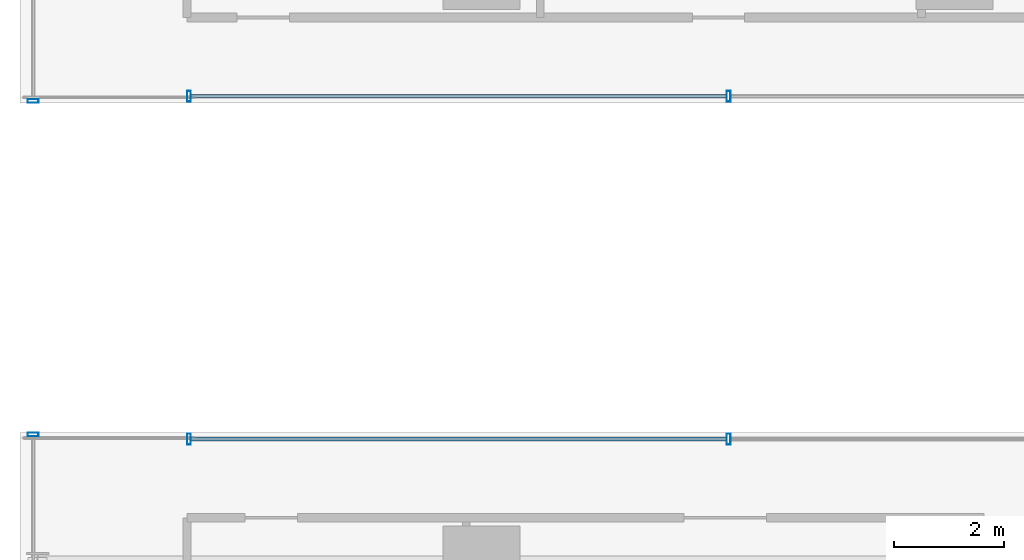
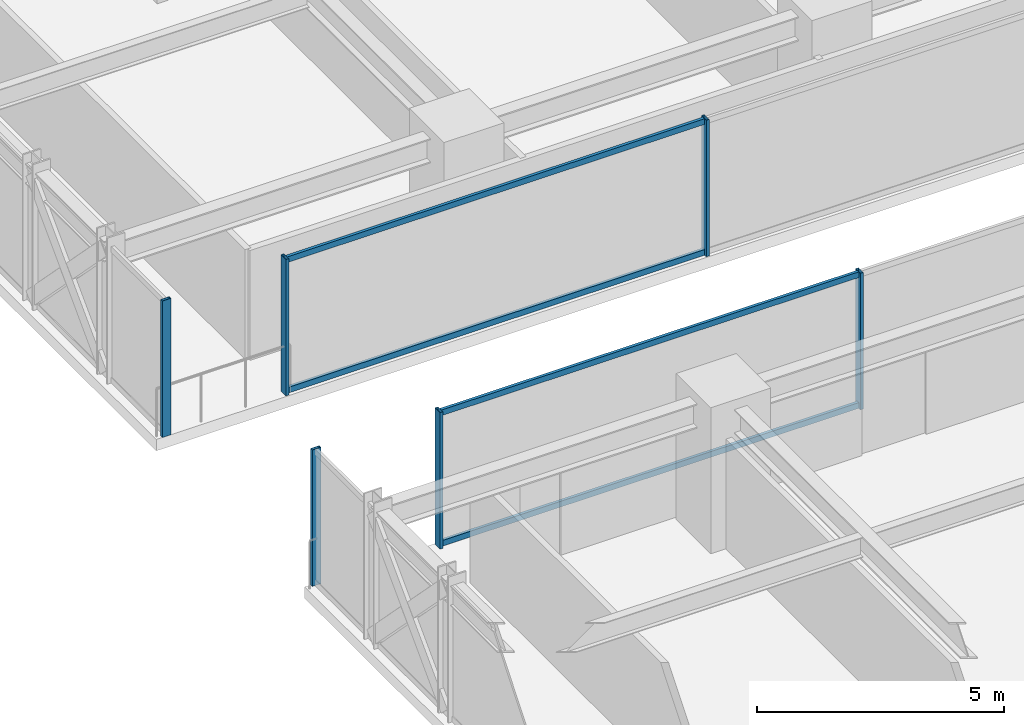
# One storey, part 8 of 35: 10 members, 4 elements without a shape of their own.
"""IFC4 building model written with IfcOpenShell, lengths in metres."""

from ifc_helpers import new_model, si_unit, direction, frame, origin, origin_2d, place, context, subcontext, project, spatial, hollow_rectangle, extrude, source, transform, mapped, material, material_profile, profile_set, type_object, element, aggregate, save


model = new_model("IFC4")

# Units and contexts
model_context = context("Model", 3, precision=1e-05, world=origin(), true_north=direction((0.0, 1.0)))
body_context = subcontext(model_context, "Body", "Model", "MODEL_VIEW")
ifc_project = project(units=[si_unit("LENGTHUNIT", "METRE"), si_unit("AREAUNIT", "SQUARE_METRE"), si_unit("VOLUMEUNIT", "CUBIC_METRE"), si_unit("PLANEANGLEUNIT", "RADIAN"), si_unit("MASSUNIT", "GRAM", prefix="KILO")], contexts=[model_context])

# Site, building, storey
site_placement = place(None, origin())
site = spatial("IfcSite", under=ifc_project, at=site_placement, CompositionType="ELEMENT")
building_placement = place(site_placement, origin())
building = spatial("IfcBuilding", under=site, at=building_placement, Name="Nahalor Promenade Grand Hotel", CompositionType="ELEMENT")
storey_placement = place(building_placement, frame((0.0, 0.0, 43.35009765625)))
storey = spatial("IfcBuildingStorey", under=building, at=storey_placement, Name="L09", CompositionType="ELEMENT", Elevation=43.35009765625)

# Curtain wall, member
ifc_material = material(Name="Anodised Bronze Aluminium EN AW-6063 T6", Category="aluminium")
curtain_wall_type = type_object("IfcCurtainWallType", Name="CW3 Elliptical-Void Collar Unitised Curtain Wall", PredefinedType="USERDEFINED", material=ifc_material)
curtain_wall_1_placement = place(storey_placement, origin())
curtain_wall_1 = element("IfcCurtainWall", 1, at=curtain_wall_1_placement, inside=storey, type_object=curtain_wall_type, Name="L09 Curtain Wall CW-L09-W-1", ObjectType="UNITISED_CURTAIN_WALL", PredefinedType="USERDEFINED")
ifc_material_profile_1 = material_profile(ifc_material, hollow_rectangle(XDim=0.07, YDim=0.2, WallThickness=0.005, at=origin_2d()), Name="CWM 70x200x5")
ifc_profile_set_1 = profile_set([ifc_material_profile_1], Name="Anodised Bronze Aluminium EN AW-6063 T6")
member_type_1 = type_object("IfcMemberType", Name="CWM3 Void Collar Mullion 70x200", PredefinedType="MULLION", material=ifc_profile_set_1)
shared_shape_1 = source(origin(), body_context, "Body", "SweptSolid", [
    extrude(hollow_rectangle(XDim=0.07, YDim=0.2, WallThickness=0.005, at=origin_2d()), origin(), (0.0, 0.0, 1.0), 3.369873046875),
])
member_1_placement = place(storey_placement, frame((-25.159912109375, -3.033935546875, 0.0), z_axis=(0.0, 0.0, 1.0), x_axis=(0.0, 1.0, 0.0)))
member_1 = element("IfcMember", 2, at=member_1_placement, type_object=member_type_1, Name="CW-L09-W-1 Mullion 2", PredefinedType="MULLION", context=body_context, shape_type="MappedRepresentation", body=[
    mapped(shared_shape_1, transform((0.0, 0.0, 0.0), scale=1.0)),
])
aggregate(curtain_wall_1, [member_1])

curtain_wall_2_placement = place(storey_placement, origin())
curtain_wall_2 = element("IfcCurtainWall", 3, at=curtain_wall_2_placement, inside=storey, type_object=curtain_wall_type, Name="L09 Curtain Wall CW-L09-W-2", ObjectType="UNITISED_CURTAIN_WALL", PredefinedType="USERDEFINED")
member_2_placement = place(storey_placement, frame((-25.159912109375, 3.033935546875, 0.0), z_axis=(0.0, 0.0, 1.0), x_axis=(0.0, 1.0, 0.0)))
member_2 = element("IfcMember", 4, at=member_2_placement, type_object=member_type_1, Name="CW-L09-W-2 Mullion 0", PredefinedType="MULLION", context=body_context, shape_type="MappedRepresentation", body=[
    mapped(shared_shape_1, transform((0.0, 0.0, 0.0), scale=1.0)),
])
aggregate(curtain_wall_2, [member_2])

# Curtain wall, members
curtain_wall_3_placement = place(storey_placement, origin())
curtain_wall_3 = element("IfcCurtainWall", 5, at=curtain_wall_3_placement, inside=storey, type_object=curtain_wall_type, Name="L09 Curtain Wall CW-L09-VOID-WS1", ObjectType="UNITISED_CURTAIN_WALL", PredefinedType="USERDEFINED")
member_3_placement = place(storey_placement, frame((-22.324951171875, -3.118896484375, 0.0), z_axis=(0.0, 0.0, 1.0), x_axis=(1.0, 0.0, 0.0)))
member_3 = element("IfcMember", 6, at=member_3_placement, type_object=member_type_1, Name="CW-L09-VOID-WS1 Mullion 0", PredefinedType="MULLION", context=body_context, shape_type="MappedRepresentation", body=[
    mapped(shared_shape_1, transform((0.0, 0.0, 0.0), scale=1.0)),
])
member_4_placement = place(storey_placement, frame((-12.506591796875, -3.118896484375, 0.0), z_axis=(0.0, 0.0, 1.0), x_axis=(1.0, 0.0, 0.0)))
member_4 = element("IfcMember", 7, at=member_4_placement, type_object=member_type_1, Name="CW-L09-VOID-WS1 Mullion 1", PredefinedType="MULLION", context=body_context, shape_type="MappedRepresentation", body=[
    mapped(shared_shape_1, transform((0.0, 0.0, 0.0), scale=1.0)),
])

curtain_wall_4_placement = place(storey_placement, origin())
curtain_wall_4 = element("IfcCurtainWall", 8, at=curtain_wall_4_placement, inside=storey, type_object=curtain_wall_type, Name="L09 Curtain Wall CW-L09-VOID-WN1", ObjectType="UNITISED_CURTAIN_WALL", PredefinedType="USERDEFINED")
member_5_placement = place(storey_placement, frame((-22.324951171875, 3.118896484375, 0.0), z_axis=(0.0, 0.0, 1.0), x_axis=(1.0, 0.0, 0.0)))
member_5 = element("IfcMember", 9, at=member_5_placement, type_object=member_type_1, Name="CW-L09-VOID-WN1 Mullion 0", PredefinedType="MULLION", context=body_context, shape_type="MappedRepresentation", body=[
    mapped(shared_shape_1, transform((0.0, 0.0, 0.0), scale=1.0)),
])
member_6_placement = place(storey_placement, frame((-12.506591796875, 3.118896484375, 0.0), z_axis=(0.0, 0.0, 1.0), x_axis=(1.0, 0.0, 0.0)))
member_6 = element("IfcMember", 10, at=member_6_placement, type_object=member_type_1, Name="CW-L09-VOID-WN1 Mullion 1", PredefinedType="MULLION", context=body_context, shape_type="MappedRepresentation", body=[
    mapped(shared_shape_1, transform((0.0, 0.0, 0.0), scale=1.0)),
])

# Member
ifc_material_profile_2 = material_profile(ifc_material, hollow_rectangle(XDim=0.07, YDim=0.14, WallThickness=0.004, at=origin_2d()), Name="CWT 70x140x4")
ifc_profile_set_2 = profile_set([ifc_material_profile_2], Name="Anodised Bronze Aluminium EN AW-6063 T6")
member_type_2 = type_object("IfcMemberType", Name="CWT3 Void Collar Transom 70x140", PredefinedType="USERDEFINED", material=ifc_profile_set_2)
shared_shape_2 = source(origin(), body_context, "Body", "SweptSolid", [
    extrude(hollow_rectangle(XDim=0.07, YDim=0.14, WallThickness=0.004, at=origin_2d()), origin(), (0.0, 0.0, 1.0), 9.748291015625),
])
member_7_placement = place(storey_placement, frame((-22.2900390625, -3.118896484375, 0.06982421875), z_axis=(1.0, 0.0, 0.0), x_axis=(0.0, 1.0, 0.0)))
member_7 = element("IfcMember", 11, at=member_7_placement, type_object=member_type_2, Name="CW-L09-VOID-WS1 Transom 0-0", ObjectType="TRANSOM", PredefinedType="USERDEFINED", context=body_context, shape_type="MappedRepresentation", body=[
    mapped(shared_shape_2, transform((0.0, 0.0, 0.0), scale=1.0)),
])

member_8_placement = place(storey_placement, frame((-22.2900390625, -3.118896484375, 3.2998046875), z_axis=(1.0, 0.0, 0.0), x_axis=(0.0, 1.0, 0.0)))
member_8 = element("IfcMember", 12, at=member_8_placement, type_object=member_type_2, Name="CW-L09-VOID-WS1 Transom 0-1", ObjectType="TRANSOM", PredefinedType="USERDEFINED", context=body_context, shape_type="MappedRepresentation", body=[
    mapped(shared_shape_2, transform((0.0, 0.0, 0.0), scale=1.0)),
])

aggregate(curtain_wall_3, [member_3, member_4, member_7, member_8])

member_9_placement = place(storey_placement, frame((-22.2900390625, 3.118896484375, 0.06982421875), z_axis=(1.0, 0.0, 0.0), x_axis=(0.0, 1.0, 0.0)))
member_9 = element("IfcMember", 13, at=member_9_placement, type_object=member_type_2, Name="CW-L09-VOID-WN1 Transom 0-0", ObjectType="TRANSOM", PredefinedType="USERDEFINED", context=body_context, shape_type="MappedRepresentation", body=[
    mapped(shared_shape_2, transform((0.0, 0.0, 0.0), scale=1.0)),
])

member_10_placement = place(storey_placement, frame((-22.2900390625, 3.118896484375, 3.2998046875), z_axis=(1.0, 0.0, 0.0), x_axis=(0.0, 1.0, 0.0)))
member_10 = element("IfcMember", 14, at=member_10_placement, type_object=member_type_2, Name="CW-L09-VOID-WN1 Transom 0-1", ObjectType="TRANSOM", PredefinedType="USERDEFINED", context=body_context, shape_type="MappedRepresentation", body=[
    mapped(shared_shape_2, transform((0.0, 0.0, 0.0), scale=1.0)),
])

aggregate(curtain_wall_4, [member_5, member_6, member_9, member_10])

save(model, "model.ifc")
